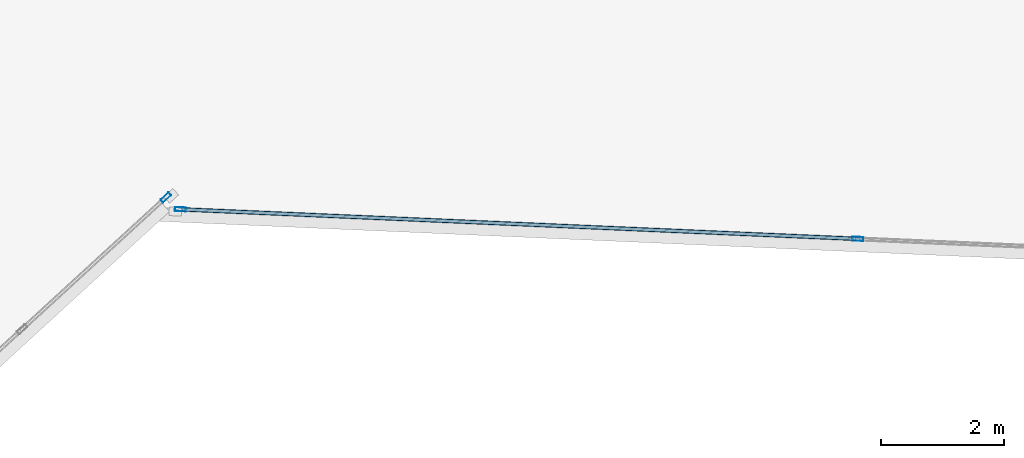
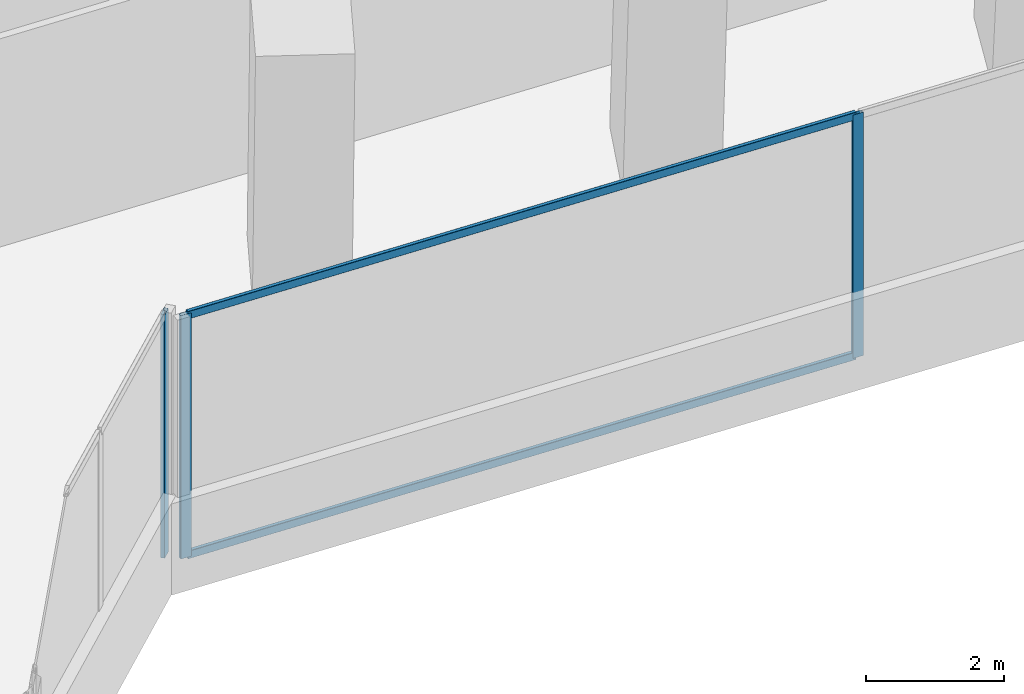
# One storey, part 9 of 27: 5 members, 2 elements without a shape of their own.
"""IFC4 building model written with IfcOpenShell, lengths in metres."""

from ifc_helpers import new_model, si_unit, direction, frame, origin, origin_2d, place, context, subcontext, project, spatial, hollow_rectangle, extrude, source, transform, mapped, material, material_profile, profile_set, type_object, element, aggregate, save


model = new_model("IFC4")

# Units and contexts
model_context = context("Model", 3, precision=1e-05, world=origin(), true_north=direction((0.0, 1.0)))
body_context = subcontext(model_context, "Body", "Model", "MODEL_VIEW")
ifc_project = project(units=[si_unit("LENGTHUNIT", "METRE"), si_unit("AREAUNIT", "SQUARE_METRE"), si_unit("VOLUMEUNIT", "CUBIC_METRE"), si_unit("PLANEANGLEUNIT", "RADIAN"), si_unit("MASSUNIT", "GRAM", prefix="KILO")], contexts=[model_context])

# Site, building, storey
site_placement = place(None, origin())
site = spatial("IfcSite", under=ifc_project, at=site_placement, CompositionType="ELEMENT")
building_placement = place(site_placement, origin())
building = spatial("IfcBuilding", under=site, at=building_placement, Name="Torre Montelarca", CompositionType="ELEMENT")
storey_placement = place(building_placement, frame((0.0, 0.0, 37.60009765625)))
storey = spatial("IfcBuildingStorey", under=building, at=storey_placement, Name="L08", CompositionType="ELEMENT", Elevation=37.60009765625)

# Curtain wall, members
ifc_material_1 = material(Name="Insulated low-E laminated glass", Category="glass")
curtain_wall_type = type_object("IfcCurtainWallType", Name="CW-SYS-Z1", PredefinedType="USERDEFINED", material=ifc_material_1)
curtain_wall_1_placement = place(storey_placement, origin())
curtain_wall_1 = element("IfcCurtainWall", 1, at=curtain_wall_1_placement, inside=storey, type_object=curtain_wall_type, Name="L08 Curtain Wall Run CW-T3-L08-E04-B1", ObjectType="UNITISED GLAZING", PredefinedType="USERDEFINED")
ifc_material_2 = material(Name="Anodised aluminium AA 6063-T6", Category="aluminium")
ifc_material_profile_1 = material_profile(ifc_material_2, hollow_rectangle(XDim=0.06494140625, YDim=0.139892578125, WallThickness=0.00390625, InnerFilletRadius=0.00390625, OuterFilletRadius=0.008056640625, at=origin_2d()), Name="ALU65X140X4", Category="aluminium")
ifc_profile_set_1 = profile_set([ifc_material_profile_1], Name="Anodised aluminium AA 6063-T6")
member_type_1 = type_object("IfcMemberType", Name="CWT-ALU140", PredefinedType="USERDEFINED", material=ifc_profile_set_1)
shared_shape_1 = source(origin(), body_context, "Body", "SweptSolid", [
    extrude(hollow_rectangle(XDim=0.06494140625, YDim=0.139892578125, WallThickness=0.00390625, InnerFilletRadius=0.00390625, OuterFilletRadius=0.008056640625, at=origin_2d()), origin(), (0.0, 0.0, 1.0), 10.948486328125),
])
member_1_placement = place(storey_placement, frame((36.595947265625, 17.657958984375, 0.032470703125), z_axis=(0.999048316388, -0.043617215902, 0.0), x_axis=(0.043617215902, 0.999048316388, 0.0)))
member_1 = element("IfcMember", 2, at=member_1_placement, type_object=member_type_1, Name="CW transom 1.1", ObjectType="TRANSOM", PredefinedType="USERDEFINED", context=body_context, shape_type="MappedRepresentation", body=[
    mapped(shared_shape_1, transform((0.0, 0.0, 0.0), scale=1.0)),
])
member_2_placement = place(storey_placement, frame((36.595947265625, 17.657958984375, 4.287353515625), z_axis=(0.999048316388, -0.043617215902, 0.0), x_axis=(0.043617215902, 0.999048316388, 0.0)))
member_2 = element("IfcMember", 3, at=member_2_placement, type_object=member_type_1, Name="CW transom 1.2", ObjectType="TRANSOM", PredefinedType="USERDEFINED", context=body_context, shape_type="MappedRepresentation", body=[
    mapped(shared_shape_1, transform((0.0, 0.0, 0.0), scale=1.0)),
])

# Curtain wall, member
curtain_wall_2_placement = place(storey_placement, origin())
curtain_wall_2 = element("IfcCurtainWall", 4, at=curtain_wall_2_placement, inside=storey, type_object=curtain_wall_type, Name="L08 Curtain Wall Run CW-T3-L08-E02-B1", ObjectType="UNITISED GLAZING", PredefinedType="USERDEFINED")
ifc_material_profile_2 = material_profile(ifc_material_2, hollow_rectangle(XDim=0.06494140625, YDim=0.179931640625, WallThickness=0.00390625, InnerFilletRadius=0.00390625, OuterFilletRadius=0.008056640625, at=origin_2d()), Name="ALU65X180X4", Category="aluminium")
ifc_profile_set_2 = profile_set([ifc_material_profile_2], Name="Anodised aluminium AA 6063-T6")
member_type_2 = type_object("IfcMemberType", Name="CWM-ALU180", PredefinedType="MULLION", material=ifc_profile_set_2)
shared_shape_2 = source(origin(), body_context, "Body", "SweptSolid", [
    extrude(hollow_rectangle(XDim=0.06494140625, YDim=0.179931640625, WallThickness=0.00390625, InnerFilletRadius=0.00390625, OuterFilletRadius=0.008056640625, at=origin_2d()), origin(), (0.0, 0.0, 1.0), 4.31982421875),
])
member_3_placement = place(storey_placement, frame((36.324951171875, 17.8515625, 0.0), z_axis=(0.0, 0.0, 1.0), x_axis=(-0.675574618781, 0.737291621042, 0.0)))
member_3 = element("IfcMember", 5, at=member_3_placement, type_object=member_type_2, Name="CW mullion 3", PredefinedType="MULLION", context=body_context, shape_type="MappedRepresentation", body=[
    mapped(shared_shape_2, transform((0.0, 0.0, 0.0), scale=1.0)),
])
aggregate(curtain_wall_2, [member_3])

# Member
member_4_placement = place(storey_placement, frame((36.5634765625, 17.6591796875, 0.0), z_axis=(0.0, 0.0, 1.0), x_axis=(0.043617352644, 0.999048310418, 0.0)))
member_4 = element("IfcMember", 6, at=member_4_placement, type_object=member_type_2, Name="CW mullion 1", PredefinedType="MULLION", context=body_context, shape_type="MappedRepresentation", body=[
    mapped(shared_shape_2, transform((0.0, 0.0, 0.0), scale=1.0)),
])

member_5_placement = place(storey_placement, frame((47.56640625, 17.178955078125, 0.0), z_axis=(0.0, 0.0, 1.0), x_axis=(0.043617352644, 0.999048310418, 0.0)))
member_5 = element("IfcMember", 7, at=member_5_placement, type_object=member_type_2, Name="CW mullion 2", PredefinedType="MULLION", context=body_context, shape_type="MappedRepresentation", body=[
    mapped(shared_shape_2, transform((0.0, 0.0, 0.0), scale=1.0)),
])

aggregate(curtain_wall_1, [member_4, member_5, member_1, member_2])

save(model, "model.ifc")
